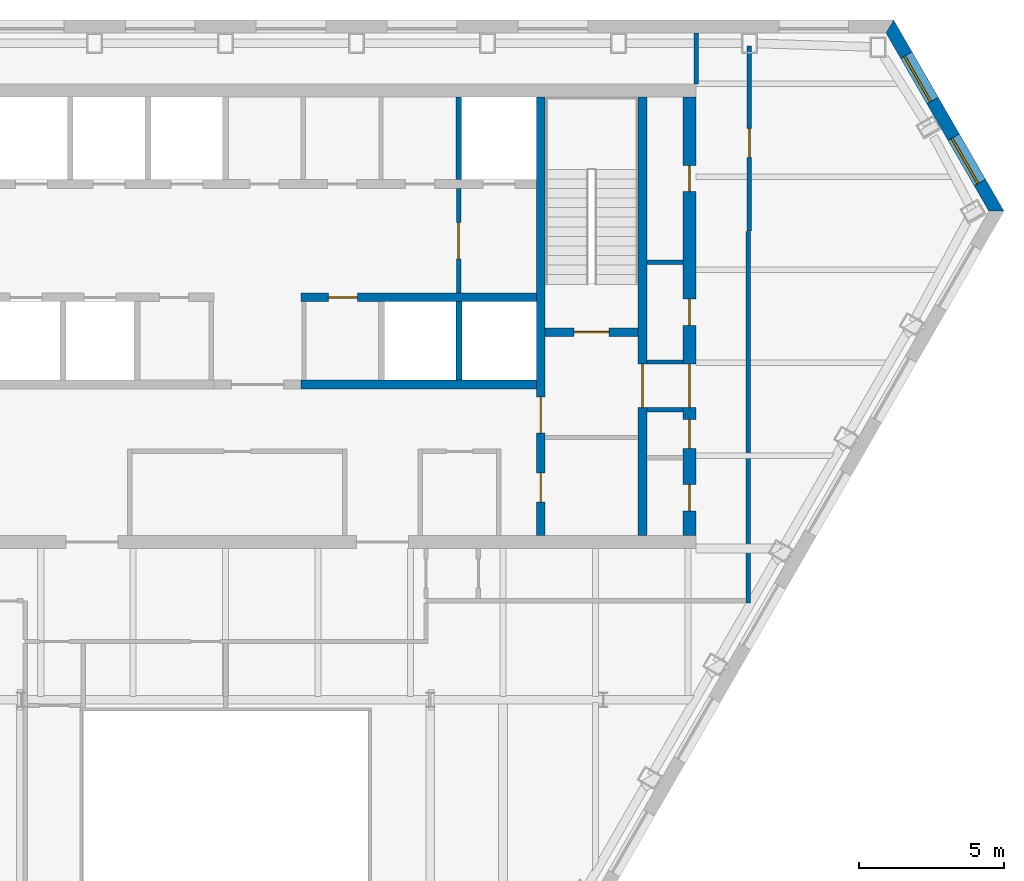
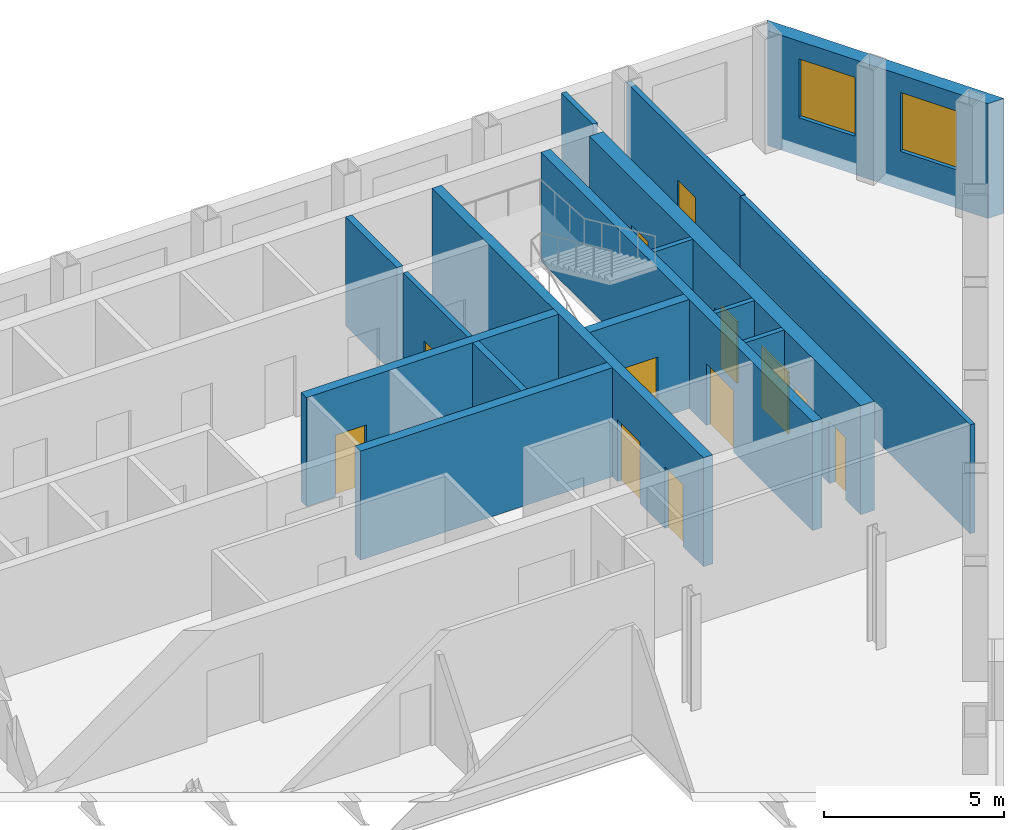
# One storey, part 7 of 10: 16 walls, 12 doors, 2 windows, 14 openings.
"""IFC4 building model written with IfcOpenShell, lengths in metres."""

from ifc_helpers import new_model, si_unit, direction, frame, frame_2d, origin, place, context, subcontext, project, spatial, polyline, rectangle, outline, extrude, material, layer, layer_set, type_object, element, fill, save


model = new_model("IFC4")

# Units and contexts
model_context = context("Model", 3, precision=1e-05, world=origin(), true_north=direction((0.0, 1.0)))
body_context = subcontext(model_context, "Body", "Model", "MODEL_VIEW")
ifc_project = project(units=[si_unit("LENGTHUNIT", "METRE"), si_unit("AREAUNIT", "SQUARE_METRE"), si_unit("VOLUMEUNIT", "CUBIC_METRE"), si_unit("PLANEANGLEUNIT", "RADIAN"), si_unit("MASSUNIT", "GRAM", prefix="KILO")], contexts=[model_context])

# Site, building, storey
site_placement = place(None, origin())
site = spatial("IfcSite", under=ifc_project, at=site_placement, CompositionType="ELEMENT")
building_placement = place(site_placement, origin())
building = spatial("IfcBuilding", under=site, at=building_placement, Name="Njiva Tower", CompositionType="ELEMENT")
storey_placement = place(building_placement, frame((0.0, 0.0, 192.6)))
storey = spatial("IfcBuildingStorey", under=building, at=storey_placement, Name="L42", CompositionType="ELEMENT", Elevation=192.6)

# Wall, openings, doors
ifc_material_1 = material(Name="Concrete C40/50", Category="concrete")
ifc_layer_1 = layer(ifc_material_1, 0.3)
ifc_layer_set_1 = layer_set([ifc_layer_1], Name="Concrete C40/50")
wall_type_1 = type_object("IfcWallType", Name="WT10 Stair enclosure wall 300", PredefinedType="SHEAR", material=ifc_layer_set_1)
wall_1_placement = place(storey_placement, frame((10.85, 2.45, 0.0), z_axis=(0.0, 0.0, 1.0), x_axis=(0.0, 1.0, 0.0)))
wall_1 = element("IfcWall", 1, at=wall_1_placement, inside=storey, type_object=wall_type_1, Name="Stair wall east inner", PredefinedType="SHEAR", context=body_context, shape_type="SweptSolid", body=[
    extrude(rectangle(XDim=15.1, YDim=0.3, at=frame_2d((7.55, 0.0))), origin(), (0.0, 0.0, 1.0), 3.7),
])
opening_1_placement = place(wall_1_placement, frame((3.525, 0.0, 0.0)))
opening_1 = element("IfcOpeningElement", 2, at=opening_1_placement, cuts=wall_1, Name="Opening S14-D920", PredefinedType="OPENING", context=body_context, shape_type="SweptSolid", body=[
    extrude(rectangle(XDim=1.25, YDim=2.1, at=frame_2d((0.625, 1.05))), frame((0.0, 0.16, 0.0), z_axis=(0.0, -1.0, 0.0), x_axis=(1.0, 0.0, 0.0)), (0.0, 0.0, 1.0), 0.32),
])
opening_2_placement = place(wall_1_placement, frame((1.15, 0.0, 0.0)))
opening_2 = element("IfcOpeningElement", 3, at=opening_2_placement, cuts=wall_1, Name="Opening S14-D921", PredefinedType="OPENING", context=body_context, shape_type="SweptSolid", body=[
    extrude(rectangle(XDim=1.0, YDim=2.1, at=frame_2d((0.5, 1.05))), frame((0.0, 0.16, 0.0), z_axis=(0.0, -1.0, 0.0), x_axis=(1.0, 0.0, 0.0)), (0.0, 0.0, 1.0), 0.32),
])
ifc_material_2 = material(Name="Steel door, painted", Category="steel")
door_type_1 = type_object("IfcDoorType", Name="D5 Steel door 1000x2100", OperationType="SINGLE_SWING_LEFT", PredefinedType="DOOR", material=ifc_material_2)
door_1_placement = place(opening_2_placement, origin())
door_1 = element("IfcDoor", 4, at=door_1_placement, inside=storey, type_object=door_type_1, Name="First aid room door", OperationType="SINGLE_SWING_LEFT", OverallHeight=2.1, OverallWidth=1.0, PredefinedType="DOOR", context=body_context, shape_type="SweptSolid", body=[
    extrude(rectangle(XDim=1.0, YDim=2.1, at=frame_2d((0.5, 1.05))), frame((0.0, 0.025, 0.0), z_axis=(0.0, -1.0, 0.0), x_axis=(1.0, 0.0, 0.0)), (0.0, 0.0, 1.0), 0.05),
])
fill(opening_2, door_1)
ifc_material_3 = material(Name="Glazed steel fire door", Category="steel")
door_type_2 = type_object("IfcDoorType", Name="D8 Vestibule corridor door 1250x2100 glazed", OperationType="SINGLE_SWING_LEFT", PredefinedType="DOOR", material=ifc_material_3)
door_2_placement = place(opening_1_placement, origin())
door_2 = element("IfcDoor", 5, at=door_2_placement, inside=storey, type_object=door_type_2, Name="Stair vestibule corridor door", OperationType="SINGLE_SWING_RIGHT", OverallHeight=2.1, OverallWidth=1.25, PredefinedType="DOOR", context=body_context, shape_type="SweptSolid", body=[
    extrude(rectangle(XDim=1.25, YDim=2.1, at=frame_2d((0.625, 1.05))), frame((0.0, 0.025, 0.0), z_axis=(0.0, -1.0, 0.0), x_axis=(1.0, 0.0, 0.0)), (0.0, 0.0, 1.0), 0.05),
])
fill(opening_1, door_2)

# Wall, opening, door
wall_2_placement = place(storey_placement, frame((14.35, 2.45, 0.0), z_axis=(0.0, 0.0, 1.0), x_axis=(0.0, 1.0, 0.0)))
wall_2 = element("IfcWall", 6, at=wall_2_placement, inside=storey, type_object=wall_type_1, Name="Stair wall east outer", PredefinedType="SHEAR", context=body_context, shape_type="SweptSolid", body=[
    extrude(rectangle(XDim=15.1, YDim=0.3, at=frame_2d((7.55, 0.0))), origin(), (0.0, 0.0, 1.0), 3.7),
])
opening_3_placement = place(wall_2_placement, frame((4.4, 0.0, 0.0)))
opening_3 = element("IfcOpeningElement", 7, at=opening_3_placement, cuts=wall_2, Name="Opening S14-D928", PredefinedType="OPENING", context=body_context, shape_type="SweptSolid", body=[
    extrude(rectangle(XDim=1.5, YDim=2.1, at=frame_2d((0.75, 1.05))), frame((0.0, 0.16, 0.0), z_axis=(0.0, -1.0, 0.0), x_axis=(1.0, 0.0, 0.0)), (0.0, 0.0, 1.0), 0.32),
])
door_type_3 = type_object("IfcDoorType", Name="D10 Exit door double 1500x2100 glazed", OperationType="DOUBLE_DOOR_SINGLE_SWING", PredefinedType="DOOR", material=ifc_material_3)
door_3_placement = place(opening_3_placement, origin())
door_3 = element("IfcDoor", 8, at=door_3_placement, inside=storey, type_object=door_type_3, Name="Stair B passage door", OperationType="DOUBLE_DOOR_SINGLE_SWING", OverallHeight=2.1, OverallWidth=1.5, PredefinedType="DOOR", context=body_context, shape_type="SweptSolid", body=[
    extrude(rectangle(XDim=1.5, YDim=2.1, at=frame_2d((0.75, 1.05))), frame((0.0, 0.025, 0.0), z_axis=(0.0, -1.0, 0.0), x_axis=(1.0, 0.0, 0.0)), (0.0, 0.0, 1.0), 0.05),
])
fill(opening_3, door_3)

wall_3_placement = place(storey_placement, frame((11.0, 9.45, 0.0), z_axis=(0.0, 0.0, 1.0), x_axis=(1.0, 0.0, 0.0)))
wall_3 = element("IfcWall", 9, at=wall_3_placement, inside=storey, type_object=wall_type_1, Name="Stair B south wall", PredefinedType="SHEAR", context=body_context, shape_type="SweptSolid", body=[
    extrude(rectangle(XDim=3.2, YDim=0.3, at=frame_2d((1.6, 0.0))), origin(), (0.0, 0.0, 1.0), 3.7),
])
opening_4_placement = place(wall_3_placement, frame((1.0, 0.0, 0.0)))
opening_4 = element("IfcOpeningElement", 10, at=opening_4_placement, cuts=wall_3, Name="Opening S14-D919", PredefinedType="OPENING", context=body_context, shape_type="SweptSolid", body=[
    extrude(rectangle(XDim=1.2, YDim=2.1, at=frame_2d((0.6, 1.05))), frame((0.0, 0.16, 0.0), z_axis=(0.0, -1.0, 0.0), x_axis=(1.0, 0.0, 0.0)), (0.0, 0.0, 1.0), 0.32),
])
door_type_4 = type_object("IfcDoorType", Name="D7 Stair vestibule door 1200x2100 glazed", OperationType="SINGLE_SWING_LEFT", PredefinedType="DOOR", material=ifc_material_3)
door_4_placement = place(opening_4_placement, origin())
door_4 = element("IfcDoor", 11, at=door_4_placement, inside=storey, type_object=door_type_4, Name="Stair B door", OperationType="SINGLE_SWING_LEFT", OverallHeight=2.1, OverallWidth=1.2, PredefinedType="DOOR", context=body_context, shape_type="SweptSolid", body=[
    extrude(rectangle(XDim=1.2, YDim=2.1, at=frame_2d((0.6, 1.05))), frame((0.0, 0.025, 0.0), z_axis=(0.0, -1.0, 0.0), x_axis=(1.0, 0.0, 0.0)), (0.0, 0.0, 1.0), 0.05),
])
fill(opening_4, door_4)

# Wall, openings, doors
ifc_material_4 = material(Name="Concrete C60/75", Category="concrete")
ifc_layer_2 = layer(ifc_material_4, 0.45)
ifc_layer_set_2 = layer_set([ifc_layer_2], Name="Concrete C60/75")
wall_type_2 = type_object("IfcWallType", Name="WT12 Core wall 450", PredefinedType="SHEAR", material=ifc_layer_set_2)
wall_4_placement = place(storey_placement, frame((15.975, 2.45, 0.0), z_axis=(0.0, 0.0, 1.0), x_axis=(0.0, 1.0, 0.0)))
wall_4 = element("IfcWall", 12, at=wall_4_placement, inside=storey, type_object=wall_type_2, Name="Core wall east", PredefinedType="SHEAR", context=body_context, shape_type="SweptSolid", body=[
    extrude(rectangle(XDim=15.1, YDim=0.45, at=frame_2d((7.55, 0.0))), origin(), (0.0, 0.0, 1.0), 3.7),
])
opening_5_placement = place(wall_4_placement, frame((4.4, 0.0, 0.0)))
opening_5 = element("IfcOpeningElement", 13, at=opening_5_placement, cuts=wall_4, Name="Opening S14-D929", PredefinedType="OPENING", context=body_context, shape_type="SweptSolid", body=[
    extrude(rectangle(XDim=1.5, YDim=2.1, at=frame_2d((0.75, 1.05))), frame((0.0, 0.235, 0.0), z_axis=(0.0, -1.0, 0.0), x_axis=(1.0, 0.0, 0.0)), (0.0, 0.0, 1.0), 0.47),
])
opening_6_placement = place(wall_4_placement, frame((0.85, 0.0, 0.0)))
opening_6 = element("IfcOpeningElement", 14, at=opening_6_placement, cuts=wall_4, Name="Opening S14-D930", PredefinedType="OPENING", context=body_context, shape_type="SweptSolid", body=[
    extrude(rectangle(XDim=0.9, YDim=2.1, at=frame_2d((0.45, 1.05))), frame((0.0, 0.235, 0.0), z_axis=(0.0, -1.0, 0.0), x_axis=(1.0, 0.0, 0.0)), (0.0, 0.0, 1.0), 0.47),
])
opening_7_placement = place(wall_4_placement, frame((3.0, 0.0, 0.0)))
opening_7 = element("IfcOpeningElement", 15, at=opening_7_placement, cuts=wall_4, Name="Opening S14-D931", PredefinedType="OPENING", context=body_context, shape_type="SweptSolid", body=[
    extrude(rectangle(XDim=1.0, YDim=2.1, at=frame_2d((0.5, 1.05))), frame((0.0, 0.235, 0.0), z_axis=(0.0, -1.0, 0.0), x_axis=(1.0, 0.0, 0.0)), (0.0, 0.0, 1.0), 0.47),
])
opening_8_placement = place(wall_4_placement, frame((7.2395, 0.0, 0.0)))
opening_8 = element("IfcOpeningElement", 16, at=opening_8_placement, cuts=wall_4, Name="Opening S14-D932", PredefinedType="OPENING", context=body_context, shape_type="SweptSolid", body=[
    extrude(rectangle(XDim=0.9, YDim=2.1, at=frame_2d((0.45, 1.05))), frame((0.0, 0.235, 0.0), z_axis=(0.0, -1.0, 0.0), x_axis=(1.0, 0.0, 0.0)), (0.0, 0.0, 1.0), 0.47),
])
opening_9_placement = place(wall_4_placement, frame((11.8395, 0.0, 0.0)))
opening_9 = element("IfcOpeningElement", 17, at=opening_9_placement, cuts=wall_4, Name="Opening S14-D933", PredefinedType="OPENING", context=body_context, shape_type="SweptSolid", body=[
    extrude(rectangle(XDim=0.9, YDim=2.1, at=frame_2d((0.45, 1.05))), frame((0.0, 0.235, 0.0), z_axis=(0.0, -1.0, 0.0), x_axis=(1.0, 0.0, 0.0)), (0.0, 0.0, 1.0), 0.47),
])
door_5_placement = place(opening_5_placement, origin())
door_5 = element("IfcDoor", 18, at=door_5_placement, inside=storey, type_object=door_type_3, Name="Stair B corridor door", OperationType="DOUBLE_DOOR_SINGLE_SWING", OverallHeight=2.1, OverallWidth=1.5, PredefinedType="DOOR", context=body_context, shape_type="SweptSolid", body=[
    extrude(rectangle(XDim=1.5, YDim=2.1, at=frame_2d((0.75, 1.05))), frame((0.0, 0.025, 0.0), z_axis=(0.0, -1.0, 0.0), x_axis=(1.0, 0.0, 0.0)), (0.0, 0.0, 1.0), 0.05),
])
fill(opening_5, door_5)
door_type_5 = type_object("IfcDoorType", Name="D4 Riser door 900x2100", OperationType="SINGLE_SWING_LEFT", PredefinedType="DOOR", material=ifc_material_2)
door_6_placement = place(opening_8_placement, origin())
door_6 = element("IfcDoor", 19, at=door_6_placement, inside=storey, type_object=door_type_5, Name="Cable riser door", OperationType="SINGLE_SWING_RIGHT", OverallHeight=2.1, OverallWidth=0.9, PredefinedType="DOOR", context=body_context, shape_type="SweptSolid", body=[
    extrude(rectangle(XDim=0.9, YDim=2.1, at=frame_2d((0.45, 1.05))), frame((0.0, 0.025, 0.0), z_axis=(0.0, -1.0, 0.0), x_axis=(1.0, 0.0, 0.0)), (0.0, 0.0, 1.0), 0.05),
])
fill(opening_8, door_6)
door_7_placement = place(opening_7_placement, origin())
door_7 = element("IfcDoor", 20, at=door_7_placement, inside=storey, type_object=door_type_1, Name="Telecoms room door", OperationType="SINGLE_SWING_LEFT", OverallHeight=2.1, OverallWidth=1.0, PredefinedType="DOOR", context=body_context, shape_type="SweptSolid", body=[
    extrude(rectangle(XDim=1.0, YDim=2.1, at=frame_2d((0.5, 1.05))), frame((0.0, 0.025, 0.0), z_axis=(0.0, -1.0, 0.0), x_axis=(1.0, 0.0, 0.0)), (0.0, 0.0, 1.0), 0.05),
])
fill(opening_7, door_7)
ifc_material_5 = material(Name="Steel fire door, painted", Category="steel")
door_type_6 = type_object("IfcDoorType", Name="D6 Fire-rated door 900x2100", OperationType="SINGLE_SWING_LEFT", PredefinedType="DOOR", material=ifc_material_5)
door_8_placement = place(opening_6_placement, origin())
door_8 = element("IfcDoor", 21, at=door_8_placement, inside=storey, type_object=door_type_6, Name="Cable store door", OperationType="SINGLE_SWING_LEFT", OverallHeight=2.1, OverallWidth=0.9, PredefinedType="DOOR", context=body_context, shape_type="SweptSolid", body=[
    extrude(rectangle(XDim=0.9, YDim=2.1, at=frame_2d((0.45, 1.05))), frame((0.0, 0.025, 0.0), z_axis=(0.0, -1.0, 0.0), x_axis=(1.0, 0.0, 0.0)), (0.0, 0.0, 1.0), 0.05),
])
fill(opening_6, door_8)
door_9_placement = place(opening_9_placement, origin())
door_9 = element("IfcDoor", 22, at=door_9_placement, inside=storey, type_object=door_type_6, Name="Cable store door", OperationType="SINGLE_SWING_RIGHT", OverallHeight=2.1, OverallWidth=0.9, PredefinedType="DOOR", context=body_context, shape_type="SweptSolid", body=[
    extrude(rectangle(XDim=0.9, YDim=2.1, at=frame_2d((0.45, 1.05))), frame((0.0, 0.025, 0.0), z_axis=(0.0, -1.0, 0.0), x_axis=(1.0, 0.0, 0.0)), (0.0, 0.0, 1.0), 0.05),
])
fill(opening_9, door_9)

# Wall, opening, door
ifc_material_6 = material(Name="Blockwork", Category="masonry")
ifc_layer_3 = layer(ifc_material_6, 0.15)
ifc_layer_set_3 = layer_set([ifc_layer_3], Name="Blockwork")
wall_type_3 = type_object("IfcWallType", Name="WT2 Lobby partition 150", PredefinedType="PARTITIONING", material=ifc_layer_set_3)
wall_5_placement = place(storey_placement, frame((8.025, 10.8, 0.0), z_axis=(0.0, 0.0, 1.0), x_axis=(0.0, 1.0, 0.0)))
wall_5 = element("IfcWall", 23, at=wall_5_placement, inside=storey, type_object=wall_type_3, Name="Firefighting lobby wall B", PredefinedType="PARTITIONING", context=body_context, shape_type="SweptSolid", body=[
    extrude(rectangle(XDim=3.6, YDim=0.15, at=frame_2d((1.8, 0.0))), origin(), (0.0, 0.0, 1.0), 3.7),
])
opening_10_placement = place(wall_5_placement, frame((1.175, 0.0, 0.0)))
opening_10 = element("IfcOpeningElement", 24, at=opening_10_placement, cuts=wall_5, Name="Opening S14-D918", PredefinedType="OPENING", context=body_context, shape_type="SweptSolid", body=[
    extrude(rectangle(XDim=1.25, YDim=2.1, at=frame_2d((0.625, 1.05))), frame((0.0, 0.085, 0.0), z_axis=(0.0, -1.0, 0.0), x_axis=(1.0, 0.0, 0.0)), (0.0, 0.0, 1.0), 0.17),
])
door_10_placement = place(opening_10_placement, origin())
door_10 = element("IfcDoor", 25, at=door_10_placement, inside=storey, type_object=door_type_2, Name="Stair vestibule corridor door", OperationType="SINGLE_SWING_LEFT", OverallHeight=2.1, OverallWidth=1.25, PredefinedType="DOOR", context=body_context, shape_type="SweptSolid", body=[
    extrude(rectangle(XDim=1.25, YDim=2.1, at=frame_2d((0.625, 1.05))), frame((0.0, 0.025, 0.0), z_axis=(0.0, -1.0, 0.0), x_axis=(1.0, 0.0, 0.0)), (0.0, 0.0, 1.0), 0.05),
])
fill(opening_10, door_10)

# Walls
ifc_material_7 = material(Name="Gypsum board on steel studs", Category="gypsum")
ifc_layer_4 = layer(ifc_material_7, 0.15)
ifc_layer_set_4 = layer_set([ifc_layer_4], Name="Gypsum board on steel studs")
wall_type_4 = type_object("IfcWallType", Name="WT21 Compartment wall 150", PredefinedType="PARTITIONING", material=ifc_layer_set_4)
wall_6_placement = place(storey_placement, frame((16.2, 18.0, 0.0), z_axis=(0.0, 0.0, 1.0), x_axis=(0.0, 1.0, 0.0)))
element("IfcWall", 26, at=wall_6_placement, inside=storey, type_object=wall_type_4, Name="Partition S14-P025", PredefinedType="PARTITIONING", context=body_context, shape_type="SweptSolid", body=[
    extrude(rectangle(XDim=1.75, YDim=0.15, at=frame_2d((0.875, 0.0))), origin(), (0.0, 0.0, 1.0), 3.7),
])
wall_7_placement = place(storey_placement, frame((18.0, 0.125, 0.0), z_axis=(0.0, 0.0, 1.0), x_axis=(0.0, 1.0, 0.0)))
element("IfcWall", 27, at=wall_7_placement, inside=storey, type_object=wall_type_4, Name="Partition S14-P026", PredefinedType="PARTITIONING", context=body_context, shape_type="SweptSolid", body=[
    extrude(rectangle(XDim=12.8, YDim=0.15, at=frame_2d((6.4, 0.0))), origin(), (0.0, 0.0, 1.0), 3.7),
])

# Wall, opening, door
wall_8_placement = place(storey_placement, frame((18.031, 12.943, 0.0), z_axis=(0.0, 0.0, 1.0), x_axis=(0.0, 1.0, 0.0)))
wall_8 = element("IfcWall", 28, at=wall_8_placement, inside=storey, type_object=wall_type_4, Name="Partition S14-P027", PredefinedType="PARTITIONING", context=body_context, shape_type="SweptSolid", body=[
    extrude(rectangle(XDim=6.357, YDim=0.15, at=frame_2d((3.1785, 0.0))), origin(), (0.0, 0.0, 1.0), 3.7),
])
opening_11_placement = place(wall_8_placement, frame((2.527, 0.0, 0.0)))
opening_11 = element("IfcOpeningElement", 29, at=opening_11_placement, cuts=wall_8, Name="Opening S14-D012", PredefinedType="OPENING", context=body_context, shape_type="SweptSolid", body=[
    extrude(rectangle(XDim=1.0, YDim=2.1, at=frame_2d((0.5, 1.05))), frame((0.0, 0.085, 0.0), z_axis=(0.0, -1.0, 0.0), x_axis=(1.0, 0.0, 0.0)), (0.0, 0.0, 1.0), 0.17),
])
ifc_material_8 = material(Name="Steel fire door set", Category="steel")
door_type_7 = type_object("IfcDoorType", Name="D37 Fire door 1000x2100", OperationType="SINGLE_SWING_LEFT", PredefinedType="DOOR", material=ifc_material_8)
door_11_placement = place(opening_11_placement, origin())
door_11 = element("IfcDoor", 30, at=door_11_placement, inside=storey, type_object=door_type_7, Name="Door S14-D012", OperationType="SINGLE_SWING_LEFT", OverallHeight=2.1, OverallWidth=1.0, PredefinedType="DOOR", context=body_context, shape_type="SweptSolid", body=[
    extrude(rectangle(XDim=1.0, YDim=2.1, at=frame_2d((0.5, 1.05))), frame((0.0, 0.025, 0.0), z_axis=(0.0, -1.0, 0.0), x_axis=(1.0, 0.0, 0.0)), (0.0, 0.0, 1.0), 0.05),
])
fill(opening_11, door_11)

# Walls
ifc_layer_5 = layer(ifc_material_6, 0.15)
ifc_layer_set_5 = layer_set([ifc_layer_5], Name="Blockwork")
wall_type_5 = type_object("IfcWallType", Name="WT3 Riser partition 150", PredefinedType="PARTITIONING", material=ifc_layer_set_5)
wall_9_placement = place(storey_placement, frame((14.5, 11.8539, 0.0), z_axis=(0.0, 0.0, 1.0), x_axis=(1.0, 0.0, 0.0)))
element("IfcWall", 31, at=wall_9_placement, inside=storey, type_object=wall_type_5, Name="Partition strip E10", PredefinedType="PARTITIONING", context=body_context, shape_type="SweptSolid", body=[
    extrude(rectangle(XDim=1.25, YDim=0.15, at=frame_2d((0.625, 0.0))), origin(), (0.0, 0.0, 1.0), 3.7),
])
ifc_layer_6 = layer(ifc_material_6, 0.15)
ifc_layer_set_6 = layer_set([ifc_layer_6], Name="Blockwork")
wall_type_6 = type_object("IfcWallType", Name="WT4 Stair partition 150", PredefinedType="PARTITIONING", material=ifc_layer_set_6)
for number, where, z_axis, x_axis, name in (
    (32, (14.5, 6.775, 0.0), (0.0, 0.0, 1.0), (1.0, 0.0, 0.0), "Stair B exit passage wall south"),
    (33, (14.5, 8.425, 0.0), (0.0, 0.0, 1.0), (1.0, 0.0, 0.0), "Stair B exit passage wall north"),
):
    element("IfcWall", number, at=place(storey_placement, frame(where, z_axis=z_axis, x_axis=x_axis)), inside=storey, type_object=wall_type_6, Name=name, PredefinedType="PARTITIONING", context=body_context, shape_type="SweptSolid", body=[
        extrude(rectangle(XDim=1.25, YDim=0.15, at=frame_2d((0.625, 0.0))), origin(), (0.0, 0.0, 1.0), 3.7),
    ])
ifc_layer_7 = layer(ifc_material_1, 0.2)
ifc_layer_set_7 = layer_set([ifc_layer_7], Name="Concrete C40/50")
wall_type_7 = type_object("IfcWallType", Name="WT6 Lift shaft wall 200", PredefinedType="SHEAR", material=ifc_layer_set_7)
wall_10_placement = place(storey_placement, frame((8.025, 14.7, 0.0), z_axis=(0.0, 0.0, 1.0), x_axis=(0.0, 1.0, 0.0)))
element("IfcWall", 34, at=wall_10_placement, inside=storey, type_object=wall_type_7, Name="Shaft wall CN7", PredefinedType="SHEAR", context=body_context, shape_type="SweptSolid", body=[
    extrude(rectangle(XDim=2.85, YDim=0.2, at=frame_2d((1.425, 0.0))), origin(), (0.0, 0.0, 1.0), 3.7),
])
wall_11_placement = place(storey_placement, frame((8.0333, 7.8, 0.0), z_axis=(0.0, 0.0, 1.0), x_axis=(0.0, 1.0, 0.0)))
element("IfcWall", 35, at=wall_11_placement, inside=storey, type_object=wall_type_7, Name="Shaft wall CS7", PredefinedType="SHEAR", context=body_context, shape_type="SweptSolid", body=[
    extrude(rectangle(XDim=2.7, YDim=0.2, at=frame_2d((1.35, 0.0))), origin(), (0.0, 0.0, 1.0), 3.7),
])

# Wall, opening, door
ifc_layer_8 = layer(ifc_material_1, 0.3)
ifc_layer_set_8 = layer_set([ifc_layer_8], Name="Concrete C40/50")
wall_type_8 = type_object("IfcWallType", Name="WT7 Lift shaft wall 300", PredefinedType="SHEAR", material=ifc_layer_set_8)
wall_12_placement = place(storey_placement, frame((2.6, 10.65, 0.0), z_axis=(0.0, 0.0, 1.0), x_axis=(1.0, 0.0, 0.0)))
wall_12 = element("IfcWall", 36, at=wall_12_placement, inside=storey, type_object=wall_type_8, Name="Shaft wall south row lobby side E", PredefinedType="SHEAR", context=body_context, shape_type="SweptSolid", body=[
    extrude(rectangle(XDim=8.1, YDim=0.3, at=frame_2d((4.05, 0.0))), origin(), (0.0, 0.0, 1.0), 3.7),
])
opening_12_placement = place(wall_12_placement, frame((0.9334, 0.0, 0.0)))
opening_12 = element("IfcOpeningElement", 37, at=opening_12_placement, cuts=wall_12, Name="Opening S14-D913", PredefinedType="OPENING", context=body_context, shape_type="SweptSolid", body=[
    extrude(rectangle(XDim=1.0, YDim=2.1, at=frame_2d((0.5, 1.05))), frame((0.0, 0.16, 0.0), z_axis=(0.0, -1.0, 0.0), x_axis=(1.0, 0.0, 0.0)), (0.0, 0.0, 1.0), 0.32),
])
door_12_placement = place(opening_12_placement, origin())
door_12 = element("IfcDoor", 38, at=door_12_placement, inside=storey, type_object=door_type_1, Name="Prayer room door", OperationType="SINGLE_SWING_LEFT", OverallHeight=2.1, OverallWidth=1.0, PredefinedType="DOOR", context=body_context, shape_type="SweptSolid", body=[
    extrude(rectangle(XDim=1.0, YDim=2.1, at=frame_2d((0.5, 1.05))), frame((0.0, 0.025, 0.0), z_axis=(0.0, -1.0, 0.0), x_axis=(1.0, 0.0, 0.0)), (0.0, 0.0, 1.0), 0.05),
])
fill(opening_12, door_12)

# Wall
wall_13_placement = place(storey_placement, frame((2.6, 7.65, 0.0), z_axis=(0.0, 0.0, 1.0), x_axis=(1.0, 0.0, 0.0)))
element("IfcWall", 39, at=wall_13_placement, inside=storey, type_object=wall_type_8, Name="Shaft wall south row back E", PredefinedType="SHEAR", context=body_context, shape_type="SweptSolid", body=[
    extrude(rectangle(XDim=8.1, YDim=0.3, at=frame_2d((4.05, 0.0))), origin(), (0.0, 0.0, 1.0), 3.7),
])

# Wall, openings, windows
ifc_material_9 = material(Name="Brick masonry, buff", Category="masonry")
ifc_layer_9 = layer(ifc_material_9, 0.45)
ifc_layer_set_9 = layer_set([ifc_layer_9], Name="Brick masonry, buff")
wall_type_9 = type_object("IfcWallType", Name="WT94 Brick pier and spandrel wall 450, buff", PredefinedType="SOLIDWALL", material=ifc_layer_set_9)
wall_14_placement = place(storey_placement, frame((26.5402, 13.6182, -0.4), z_axis=(0.0, 0.0, 1.0), x_axis=(-0.499999980465, 0.866025415063, 0.0)))
wall_14 = element("IfcWall", 40, at=wall_14_placement, inside=storey, type_object=wall_type_9, Name="Facade wall NE", PredefinedType="SOLIDWALL", context=body_context, shape_type="SweptSolid", body=[
    extrude(outline(polyline([(-0.1299, -0.225), (7.4701, -0.225), (7.2103, 0.225), (0.1299, 0.225), (-0.1299, -0.225)])), origin(), (0.0, 0.0, 1.0), 3.9),
])
opening_13_placement = place(wall_14_placement, frame((1.1394, 0.0, 1.3)))
opening_13 = element("IfcOpeningElement", 41, at=opening_13_placement, cuts=wall_14, Name="Opening S14-W33", PredefinedType="OPENING", context=body_context, shape_type="SweptSolid", body=[
    extrude(rectangle(XDim=1.8, YDim=2.0, at=frame_2d((0.9, 1.0))), frame((0.0, 0.235, 0.0), z_axis=(0.0, -1.0, 0.0), x_axis=(1.0, 0.0, 0.0)), (0.0, 0.0, 1.0), 0.47),
])
opening_14_placement = place(wall_14_placement, frame((4.4007, 0.0, 1.3)))
opening_14 = element("IfcOpeningElement", 42, at=opening_14_placement, cuts=wall_14, Name="Opening S14-W34", PredefinedType="OPENING", context=body_context, shape_type="SweptSolid", body=[
    extrude(rectangle(XDim=1.8, YDim=2.0, at=frame_2d((0.9, 1.0))), frame((0.0, 0.235, 0.0), z_axis=(0.0, -1.0, 0.0), x_axis=(1.0, 0.0, 0.0)), (0.0, 0.0, 1.0), 0.47),
])
ifc_material_10 = material(Name="Clear glazing in aluminium frame", Category="aluminium")
window_type = type_object("IfcWindowType", Name="W94 Deep-set window 1800x2000", PartitioningType="SINGLE_PANEL", PredefinedType="WINDOW", material=ifc_material_10)
window_1_placement = place(opening_13_placement, origin())
window_1 = element("IfcWindow", 43, at=window_1_placement, inside=storey, type_object=window_type, Name="Window", OverallHeight=2.0, OverallWidth=1.8, PartitioningType="SINGLE_PANEL", PredefinedType="WINDOW", context=body_context, shape_type="SweptSolid", body=[
    extrude(rectangle(XDim=1.8, YDim=2.0, at=frame_2d((0.9, 1.0))), frame((0.0, 0.105, 0.0), z_axis=(0.0, -1.0, 0.0), x_axis=(1.0, 0.0, 0.0)), (0.0, 0.0, 1.0), 0.06),
])
fill(opening_13, window_1)
window_2_placement = place(opening_14_placement, origin())
window_2 = element("IfcWindow", 44, at=window_2_placement, inside=storey, type_object=window_type, Name="Window", OverallHeight=2.0, OverallWidth=1.8, PartitioningType="SINGLE_PANEL", PredefinedType="WINDOW", context=body_context, shape_type="SweptSolid", body=[
    extrude(rectangle(XDim=1.8, YDim=2.0, at=frame_2d((0.9, 1.0))), frame((0.0, 0.105, 0.0), z_axis=(0.0, -1.0, 0.0), x_axis=(1.0, 0.0, 0.0)), (0.0, 0.0, 1.0), 0.06),
])
fill(opening_14, window_2)

save(model, "model.ifc")
